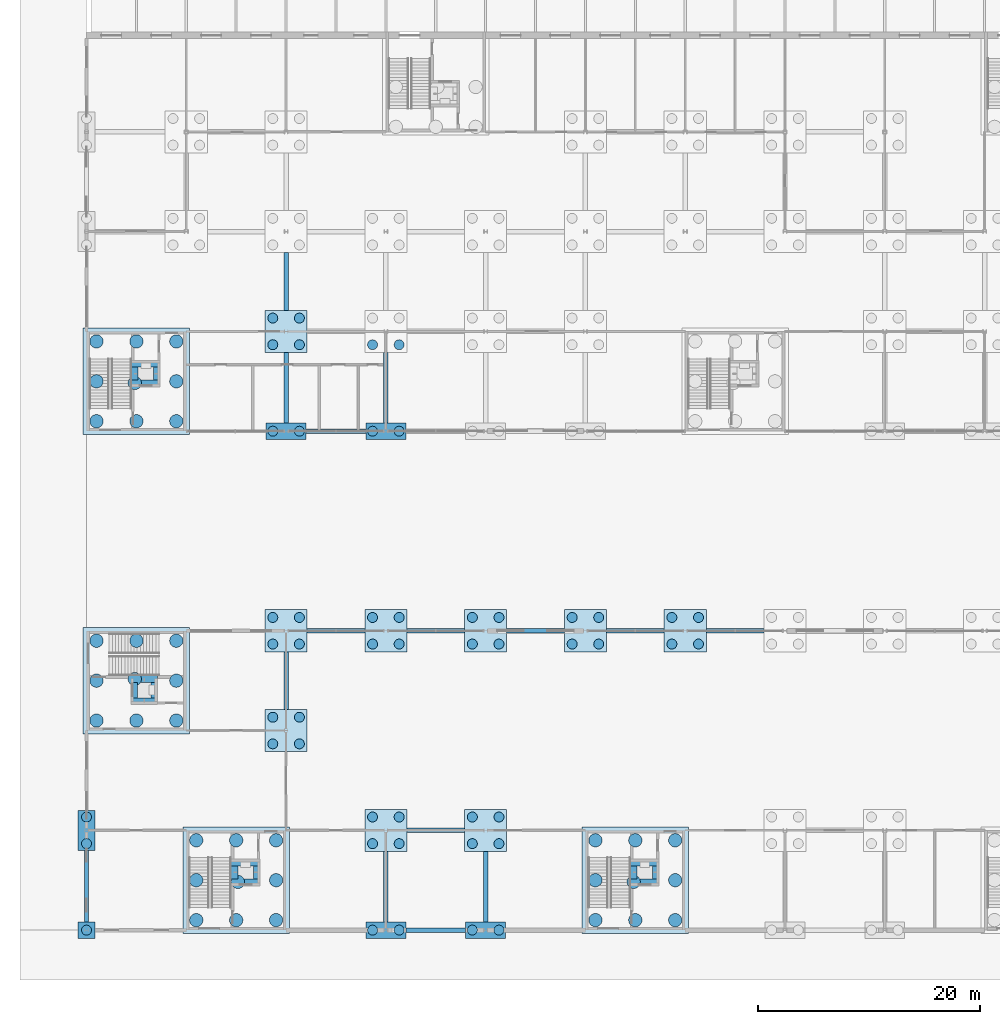
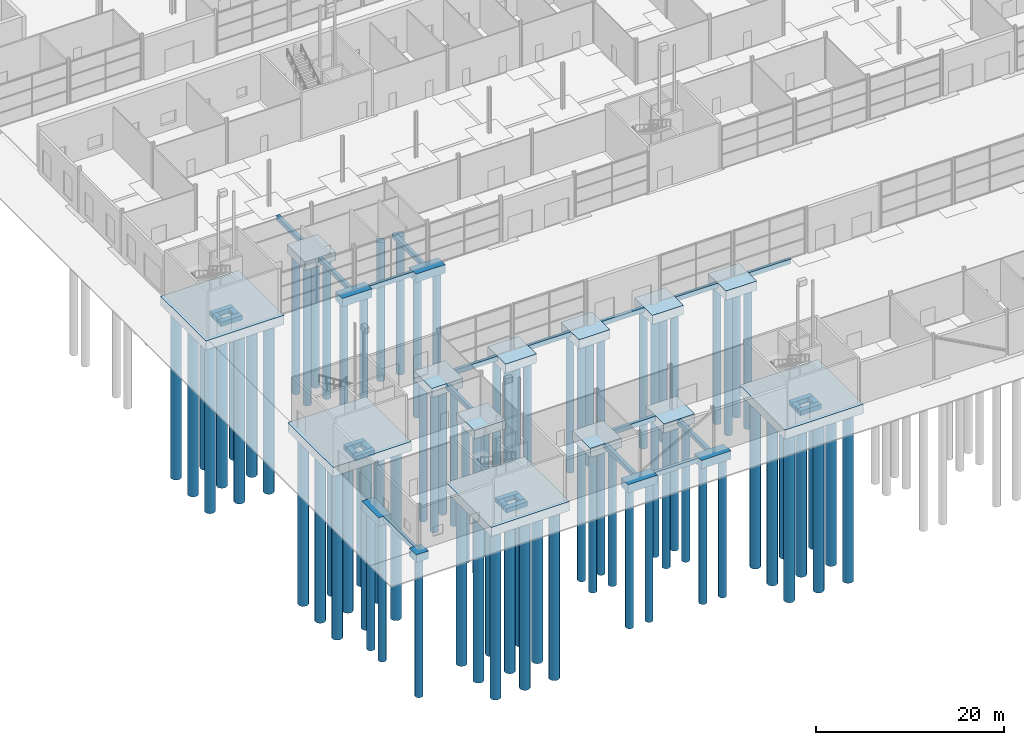
# One storey, part 1 of 97: 85 piles, 50 footings.
"""IFC4 building model written with IfcOpenShell, lengths in metres."""

from ifc_helpers import new_model, si_unit, direction, frame, origin, origin_2d, place, context, subcontext, project, spatial, polyline, rectangle, circle, outline, extrude, material, material_profile, profile_set, type_object, element, save


model = new_model("IFC4")

# Units and contexts
model_context = context("Model", 3, precision=1e-05, world=origin(), true_north=direction((0.0, 1.0)))
body_context = subcontext(model_context, "Body", "Model", "MODEL_VIEW")
ifc_project = project(units=[si_unit("LENGTHUNIT", "METRE"), si_unit("AREAUNIT", "SQUARE_METRE"), si_unit("VOLUMEUNIT", "CUBIC_METRE"), si_unit("PLANEANGLEUNIT", "RADIAN"), si_unit("MASSUNIT", "GRAM", prefix="KILO")], contexts=[model_context])

# Site, building, storey
site_placement = place(None, origin())
site = spatial("IfcSite", under=ifc_project, at=site_placement, CompositionType="ELEMENT")
building_placement = place(site_placement, origin())
building = spatial("IfcBuilding", under=site, at=building_placement, Name="Corbel Yard City Hall", CompositionType="ELEMENT")
storey_placement = place(building_placement, origin())
storey = spatial("IfcBuildingStorey", under=building, at=storey_placement, Name="L00", CompositionType="ELEMENT", Elevation=0.0)

# Piles
ifc_material = material(Name="Concrete N40 (40 MPa)", Category="concrete")
ifc_material_profile_1 = material_profile(ifc_material, circle(Radius=0.60009765625, at=origin_2d()), Name="D1200")
ifc_profile_set_1 = profile_set([ifc_material_profile_1], Name="Concrete N40 (40 MPa)")
pile_type_1 = type_object("IfcPileType", Name="Bored pile D1200", PredefinedType="BORED", material=ifc_profile_set_1)
for number, where, z_axis, x_axis, name in (
    (1, (9.89990234375, 0.89990234375, -1.10009765625), (0.0, 0.0, -1.0), (1.0, 0.0, 0.0), "Bored pile D1200 under core raft PC13"),
    (2, (9.89990234375, 4.5, -1.10009765625), (0.0, 0.0, -1.0), (1.0, 0.0, 0.0), "Bored pile D1200 under core raft PC13"),
    (3, (9.89990234375, 8.10009765625, -1.10009765625), (0.0, 0.0, -1.0), (1.0, 0.0, 0.0), "Bored pile D1200 under core raft PC13"),
    (4, (13.5, 0.89990234375, -1.10009765625), (0.0, 0.0, -1.0), (1.0, 0.0, 0.0), "Bored pile D1200 under core raft PC13"),
    (5, (13.64990234375, 4.35009765625, -1.10009765625), (0.0, 0.0, -1.0), (1.0, 0.0, 0.0), "Bored pile D1200 under core raft PC13"),
    (6, (13.5, 8.10009765625, -1.10009765625), (0.0, 0.0, -1.0), (1.0, 0.0, 0.0), "Bored pile D1200 under core raft PC13"),
    (7, (17.10009765625, 0.89990234375, -1.10009765625), (0.0, 0.0, -1.0), (1.0, 0.0, 0.0), "Bored pile D1200 under core raft PC13"),
    (8, (17.10009765625, 4.5, -1.10009765625), (0.0, 0.0, -1.0), (1.0, 0.0, 0.0), "Bored pile D1200 under core raft PC13"),
    (9, (17.10009765625, 8.10009765625, -1.10009765625), (0.0, 0.0, -1.0), (1.0, 0.0, 0.0), "Bored pile D1200 under core raft PC13"),
    (10, (45.89990234375, 0.89990234375, -1.10009765625), (0.0, 0.0, -1.0), (1.0, 0.0, 0.0), "Bored pile D1200 under core raft PC13"),
    (11, (45.89990234375, 4.5, -1.10009765625), (0.0, 0.0, -1.0), (1.0, 0.0, 0.0), "Bored pile D1200 under core raft PC13"),
    (12, (45.89990234375, 8.10009765625, -1.10009765625), (0.0, 0.0, -1.0), (1.0, 0.0, 0.0), "Bored pile D1200 under core raft PC13"),
    (13, (49.5, 0.89990234375, -1.10009765625), (0.0, 0.0, -1.0), (1.0, 0.0, 0.0), "Bored pile D1200 under core raft PC13"),
    (14, (49.35009765625, 4.35009765625, -1.10009765625), (0.0, 0.0, -1.0), (1.0, 0.0, 0.0), "Bored pile D1200 under core raft PC13"),
    (15, (49.5, 8.10009765625, -1.10009765625), (0.0, 0.0, -1.0), (1.0, 0.0, 0.0), "Bored pile D1200 under core raft PC13"),
    (16, (53.10009765625, 0.89990234375, -1.10009765625), (0.0, 0.0, -1.0), (1.0, 0.0, 0.0), "Bored pile D1200 under core raft PC13"),
    (17, (53.10009765625, 4.5, -1.10009765625), (0.0, 0.0, -1.0), (1.0, 0.0, 0.0), "Bored pile D1200 under core raft PC13"),
    (18, (53.10009765625, 8.10009765625, -1.10009765625), (0.0, 0.0, -1.0), (1.0, 0.0, 0.0), "Bored pile D1200 under core raft PC13"),
    (19, (0.89990234375, 18.89990234375, -1.10009765625), (0.0, 0.0, -1.0), (1.0, 0.0, 0.0), "Bored pile D1200 under core raft PC13"),
    (20, (0.89990234375, 22.5, -1.10009765625), (0.0, 0.0, -1.0), (1.0, 0.0, 0.0), "Bored pile D1200 under core raft PC13"),
    (21, (0.89990234375, 26.10009765625, -1.10009765625), (0.0, 0.0, -1.0), (1.0, 0.0, 0.0), "Bored pile D1200 under core raft PC13"),
    (22, (4.5, 18.89990234375, -1.10009765625), (0.0, 0.0, -1.0), (1.0, 0.0, 0.0), "Bored pile D1200 under core raft PC13"),
    (23, (4.35009765625, 22.64990234375, -1.10009765625), (0.0, 0.0, -1.0), (1.0, 0.0, 0.0), "Bored pile D1200 under core raft PC13"),
    (24, (4.5, 26.10009765625, -1.10009765625), (0.0, 0.0, -1.0), (1.0, 0.0, 0.0), "Bored pile D1200 under core raft PC13"),
    (25, (8.10009765625, 18.89990234375, -1.10009765625), (0.0, 0.0, -1.0), (1.0, 0.0, 0.0), "Bored pile D1200 under core raft PC13"),
    (26, (8.10009765625, 22.5, -1.10009765625), (0.0, 0.0, -1.0), (1.0, 0.0, 0.0), "Bored pile D1200 under core raft PC13"),
    (27, (8.10009765625, 26.10009765625, -1.10009765625), (0.0, 0.0, -1.0), (1.0, 0.0, 0.0), "Bored pile D1200 under core raft PC13"),
    (28, (0.89990234375, 45.89990234375, -1.10009765625), (0.0, 0.0, -1.0), (1.0, 0.0, 0.0), "Bored pile D1200 under core raft PC13"),
    (29, (0.89990234375, 49.5, -1.10009765625), (0.0, 0.0, -1.0), (1.0, 0.0, 0.0), "Bored pile D1200 under core raft PC13"),
    (30, (0.89990234375, 53.10009765625, -1.10009765625), (0.0, 0.0, -1.0), (1.0, 0.0, 0.0), "Bored pile D1200 under core raft PC13"),
    (31, (4.5, 45.89990234375, -1.10009765625), (0.0, 0.0, -1.0), (1.0, 0.0, 0.0), "Bored pile D1200 under core raft PC13"),
    (32, (4.35009765625, 49.35009765625, -1.10009765625), (0.0, 0.0, -1.0), (1.0, 0.0, 0.0), "Bored pile D1200 under core raft PC13"),
    (33, (4.5, 53.10009765625, -1.10009765625), (0.0, 0.0, -1.0), (1.0, 0.0, 0.0), "Bored pile D1200 under core raft PC13"),
    (34, (8.10009765625, 45.89990234375, -1.10009765625), (0.0, 0.0, -1.0), (1.0, 0.0, 0.0), "Bored pile D1200 under core raft PC13"),
    (35, (8.10009765625, 49.5, -1.10009765625), (0.0, 0.0, -1.0), (1.0, 0.0, 0.0), "Bored pile D1200 under core raft PC13"),
    (36, (8.10009765625, 53.10009765625, -1.10009765625), (0.0, 0.0, -1.0), (1.0, 0.0, 0.0), "Bored pile D1200 under core raft PC13"),
):
    element("IfcPile", number, at=place(storey_placement, frame(where, z_axis=z_axis, x_axis=x_axis)), inside=storey, type_object=pile_type_1, Name=name, PredefinedType="BORED", context=body_context, shape_type="SweptSolid", body=[
        extrude(circle(Radius=0.60009765625, at=origin_2d()), origin(), (0.0, 0.0, 1.0), 22.0),
    ])
ifc_material_profile_2 = material_profile(ifc_material, circle(Radius=0.449951171875, at=origin_2d()), Name="D900")
ifc_profile_set_2 = profile_set([ifc_material_profile_2], Name="Concrete N40 (40 MPa)")
pile_type_2 = type_object("IfcPileType", Name="Bored pile D900", PredefinedType="BORED", material=ifc_profile_set_2)
for number, where, z_axis, x_axis, name in (
    (37, (0.0, 0.0, -0.89990234375), (0.0, 0.0, -1.0), (1.0, 0.0, 0.0), "Bored pile D900 under cap PC1 A/1"),
    (38, (0.0, 7.800048828125, -1.0), (0.0, 0.0, -1.0), (1.0, 0.0, 0.0), "Bored pile D900 under cap PC2 B/1"),
    (39, (0.0, 10.199951171875, -1.0), (0.0, 0.0, -1.0), (1.0, 0.0, 0.0), "Bored pile D900 under cap PC2 B/1"),
    (40, (16.800048828125, 16.800048828125, -1.0), (0.0, 0.0, -1.0), (1.0, 0.0, 0.0), "Bored pile D900 under cap PC3 C/3"),
    (41, (16.800048828125, 19.199951171875, -1.0), (0.0, 0.0, -1.0), (1.0, 0.0, 0.0), "Bored pile D900 under cap PC3 C/3"),
    (42, (19.199951171875, 16.800048828125, -1.0), (0.0, 0.0, -1.0), (1.0, 0.0, 0.0), "Bored pile D900 under cap PC3 C/3"),
    (43, (19.199951171875, 19.199951171875, -1.0), (0.0, 0.0, -1.0), (1.0, 0.0, 0.0), "Bored pile D900 under cap PC3 C/3"),
    (44, (16.800048828125, 25.800048828125, -1.10009765625), (0.0, 0.0, -1.0), (1.0, 0.0, 0.0), "Bored pile D900 under cap PC5 D/3"),
    (45, (16.800048828125, 28.199951171875, -1.10009765625), (0.0, 0.0, -1.0), (1.0, 0.0, 0.0), "Bored pile D900 under cap PC5 D/3"),
    (46, (19.199951171875, 25.800048828125, -1.10009765625), (0.0, 0.0, -1.0), (1.0, 0.0, 0.0), "Bored pile D900 under cap PC5 D/3"),
    (47, (19.199951171875, 28.199951171875, -1.10009765625), (0.0, 0.0, -1.0), (1.0, 0.0, 0.0), "Bored pile D900 under cap PC5 D/3"),
    (48, (16.800048828125, 45.0, -1.0), (0.0, 0.0, -1.0), (1.0, 0.0, 0.0), "Bored pile D900 under cap PC6 F/3"),
    (49, (19.199951171875, 45.0, -1.0), (0.0, 0.0, -1.0), (1.0, 0.0, 0.0), "Bored pile D900 under cap PC6 F/3"),
    (50, (16.800048828125, 52.800048828125, -1.0), (0.0, 0.0, -1.0), (1.0, 0.0, 0.0), "Bored pile D900 under cap PC3 G/3"),
    (51, (16.800048828125, 55.199951171875, -1.0), (0.0, 0.0, -1.0), (1.0, 0.0, 0.0), "Bored pile D900 under cap PC3 G/3"),
    (52, (19.199951171875, 52.800048828125, -1.0), (0.0, 0.0, -1.0), (1.0, 0.0, 0.0), "Bored pile D900 under cap PC3 G/3"),
    (53, (19.199951171875, 55.199951171875, -1.0), (0.0, 0.0, -1.0), (1.0, 0.0, 0.0), "Bored pile D900 under cap PC3 G/3"),
    (54, (25.800048828125, 0.0, -1.0), (0.0, 0.0, -1.0), (1.0, 0.0, 0.0), "Bored pile D900 under cap PC6 A/4"),
    (55, (28.199951171875, 0.0, -1.0), (0.0, 0.0, -1.0), (1.0, 0.0, 0.0), "Bored pile D900 under cap PC6 A/4"),
    (56, (25.800048828125, 7.800048828125, -1.10009765625), (0.0, 0.0, -1.0), (1.0, 0.0, 0.0), "Bored pile D900 under cap PC5 B/4"),
    (57, (25.800048828125, 10.199951171875, -1.10009765625), (0.0, 0.0, -1.0), (1.0, 0.0, 0.0), "Bored pile D900 under cap PC5 B/4"),
    (58, (28.199951171875, 7.800048828125, -1.10009765625), (0.0, 0.0, -1.0), (1.0, 0.0, 0.0), "Bored pile D900 under cap PC5 B/4"),
    (59, (28.199951171875, 10.199951171875, -1.10009765625), (0.0, 0.0, -1.0), (1.0, 0.0, 0.0), "Bored pile D900 under cap PC5 B/4"),
    (60, (25.800048828125, 25.800048828125, -1.10009765625), (0.0, 0.0, -1.0), (1.0, 0.0, 0.0), "Bored pile D900 under cap PC5 D/4"),
    (61, (25.800048828125, 28.199951171875, -1.10009765625), (0.0, 0.0, -1.0), (1.0, 0.0, 0.0), "Bored pile D900 under cap PC5 D/4"),
    (62, (28.199951171875, 25.800048828125, -1.10009765625), (0.0, 0.0, -1.0), (1.0, 0.0, 0.0), "Bored pile D900 under cap PC5 D/4"),
    (63, (28.199951171875, 28.199951171875, -1.10009765625), (0.0, 0.0, -1.0), (1.0, 0.0, 0.0), "Bored pile D900 under cap PC5 D/4"),
    (64, (25.800048828125, 45.0, -1.0), (0.0, 0.0, -1.0), (1.0, 0.0, 0.0), "Bored pile D900 under cap PC6 F/4"),
    (65, (28.199951171875, 45.0, -1.0), (0.0, 0.0, -1.0), (1.0, 0.0, 0.0), "Bored pile D900 under cap PC6 F/4"),
    (66, (25.800048828125, 52.800048828125, -1.0), (0.0, 0.0, -1.0), (1.0, 0.0, 0.0), "Bored pile D900 under cap PC3 G/4"),
    (67, (28.199951171875, 52.800048828125, -1.0), (0.0, 0.0, -1.0), (1.0, 0.0, 0.0), "Bored pile D900 under cap PC3 G/4"),
    (68, (34.800048828125, 0.0, -1.0), (0.0, 0.0, -1.0), (1.0, 0.0, 0.0), "Bored pile D900 under cap PC6 A/5"),
    (69, (37.199951171875, 0.0, -1.0), (0.0, 0.0, -1.0), (1.0, 0.0, 0.0), "Bored pile D900 under cap PC6 A/5"),
    (70, (34.800048828125, 7.800048828125, -1.10009765625), (0.0, 0.0, -1.0), (1.0, 0.0, 0.0), "Bored pile D900 under cap PC5 B/5"),
    (71, (34.800048828125, 10.199951171875, -1.10009765625), (0.0, 0.0, -1.0), (1.0, 0.0, 0.0), "Bored pile D900 under cap PC5 B/5"),
    (72, (37.199951171875, 7.800048828125, -1.10009765625), (0.0, 0.0, -1.0), (1.0, 0.0, 0.0), "Bored pile D900 under cap PC5 B/5"),
    (73, (37.199951171875, 10.199951171875, -1.10009765625), (0.0, 0.0, -1.0), (1.0, 0.0, 0.0), "Bored pile D900 under cap PC5 B/5"),
    (74, (34.800048828125, 25.800048828125, -1.10009765625), (0.0, 0.0, -1.0), (1.0, 0.0, 0.0), "Bored pile D900 under cap PC5 D/5"),
    (75, (34.800048828125, 28.199951171875, -1.10009765625), (0.0, 0.0, -1.0), (1.0, 0.0, 0.0), "Bored pile D900 under cap PC5 D/5"),
    (76, (37.199951171875, 25.800048828125, -1.10009765625), (0.0, 0.0, -1.0), (1.0, 0.0, 0.0), "Bored pile D900 under cap PC5 D/5"),
    (77, (37.199951171875, 28.199951171875, -1.10009765625), (0.0, 0.0, -1.0), (1.0, 0.0, 0.0), "Bored pile D900 under cap PC5 D/5"),
    (78, (43.800048828125, 25.800048828125, -1.10009765625), (0.0, 0.0, -1.0), (1.0, 0.0, 0.0), "Bored pile D900 under cap PC5 D/6"),
    (79, (43.800048828125, 28.199951171875, -1.10009765625), (0.0, 0.0, -1.0), (1.0, 0.0, 0.0), "Bored pile D900 under cap PC5 D/6"),
    (80, (46.199951171875, 25.800048828125, -1.10009765625), (0.0, 0.0, -1.0), (1.0, 0.0, 0.0), "Bored pile D900 under cap PC5 D/6"),
    (81, (46.199951171875, 28.199951171875, -1.10009765625), (0.0, 0.0, -1.0), (1.0, 0.0, 0.0), "Bored pile D900 under cap PC5 D/6"),
    (82, (52.800048828125, 25.800048828125, -1.10009765625), (0.0, 0.0, -1.0), (1.0, 0.0, 0.0), "Bored pile D900 under cap PC5 D/7"),
    (83, (52.800048828125, 28.199951171875, -1.10009765625), (0.0, 0.0, -1.0), (1.0, 0.0, 0.0), "Bored pile D900 under cap PC5 D/7"),
    (84, (55.199951171875, 25.800048828125, -1.10009765625), (0.0, 0.0, -1.0), (1.0, 0.0, 0.0), "Bored pile D900 under cap PC5 D/7"),
    (85, (55.199951171875, 28.199951171875, -1.10009765625), (0.0, 0.0, -1.0), (1.0, 0.0, 0.0), "Bored pile D900 under cap PC5 D/7"),
):
    element("IfcPile", number, at=place(storey_placement, frame(where, z_axis=z_axis, x_axis=x_axis)), inside=storey, type_object=pile_type_2, Name=name, PredefinedType="BORED", context=body_context, shape_type="SweptSolid", body=[
        extrude(circle(Radius=0.449951171875, at=origin_2d()), origin(), (0.0, 0.0, 1.0), 18.0),
    ])

# Footings
footing_type_1 = type_object("IfcFootingType", Name="Core cell raft 9.6 x 9.6 x 1.2", PredefinedType="PILE_CAP", material=ifc_material)
footing_1_placement = place(storey_placement, frame((0.0, 0.0, -1.199951171875)))
element("IfcFooting", 86, at=footing_1_placement, inside=storey, type_object=footing_type_1, Name="Core cell raft PC13 PC-S0", PredefinedType="PILE_CAP", context=body_context, shape_type="SweptSolid", body=[
    extrude(outline(polyline([(8.699951171875, -0.300048828125), (18.300048828125, -0.300048828125), (18.300048828125, 9.300048828125), (8.699951171875, 9.300048828125), (8.699951171875, -0.300048828125)])), origin(), (0.0, 0.0, 1.0), 1.199951171875),
])
footing_2_placement = place(storey_placement, frame((0.0, 0.0, -1.199951171875)))
element("IfcFooting", 87, at=footing_2_placement, inside=storey, type_object=footing_type_1, Name="Core cell raft PC13 PC-S1", PredefinedType="PILE_CAP", context=body_context, shape_type="SweptSolid", body=[
    extrude(outline(polyline([(44.699951171875, -0.300048828125), (54.300048828125, -0.300048828125), (54.300048828125, 9.300048828125), (44.699951171875, 9.300048828125), (44.699951171875, -0.300048828125)])), origin(), (0.0, 0.0, 1.0), 1.199951171875),
])
footing_3_placement = place(storey_placement, frame((0.0, 0.0, -1.199951171875)))
element("IfcFooting", 88, at=footing_3_placement, inside=storey, type_object=footing_type_1, Name="Core cell raft PC13 PC-S5", PredefinedType="PILE_CAP", context=body_context, shape_type="SweptSolid", body=[
    extrude(outline(polyline([(-0.300048828125, 17.699951171875), (9.300048828125, 17.699951171875), (9.300048828125, 27.300048828125), (-0.300048828125, 27.300048828125), (-0.300048828125, 17.699951171875)])), origin(), (0.0, 0.0, 1.0), 1.199951171875),
])
footing_4_placement = place(storey_placement, frame((0.0, 0.0, -1.199951171875)))
element("IfcFooting", 89, at=footing_4_placement, inside=storey, type_object=footing_type_1, Name="Core cell raft PC13 PC-M1", PredefinedType="PILE_CAP", context=body_context, shape_type="SweptSolid", body=[
    extrude(outline(polyline([(-0.300048828125, 44.699951171875), (9.300048828125, 44.699951171875), (9.300048828125, 54.300048828125), (-0.300048828125, 54.300048828125), (-0.300048828125, 44.699951171875)])), origin(), (0.0, 0.0, 1.0), 1.199951171875),
])
footing_type_2 = type_object("IfcFootingType", Name="Ground beam 400 x 600", PredefinedType="FOOTING_BEAM", material=ifc_material)
footing_5_placement = place(storey_placement, frame((0.0, 3.97509765625, -0.60009765625), z_axis=(0.0, 0.0, 1.0), x_axis=(1.0, 0.0, 0.0)))
element("IfcFooting", 90, at=footing_5_placement, inside=storey, type_object=footing_type_2, Name="Ground beam 400 x 600 A/1-B/1", PredefinedType="FOOTING_BEAM", context=body_context, shape_type="SweptSolid", body=[
    extrude(rectangle(XDim=0.39990234375, YDim=6.449951171875, at=origin_2d()), origin(), (0.0, 0.0, 1.0), 0.60009765625),
])
footing_6_placement = place(storey_placement, frame((18.0, 22.5, -0.60009765625), z_axis=(0.0, 0.0, 1.0), x_axis=(1.0, 0.0, 0.0)))
element("IfcFooting", 91, at=footing_6_placement, inside=storey, type_object=footing_type_2, Name="Ground beam 400 x 600 C/3-D/3", PredefinedType="FOOTING_BEAM", context=body_context, shape_type="SweptSolid", body=[
    extrude(rectangle(XDim=0.39990234375, YDim=5.199951171875, at=origin_2d()), origin(), (0.0, 0.0, 1.0), 0.60009765625),
])
footing_7_placement = place(storey_placement, frame((22.5, 27.0, -0.60009765625), z_axis=(0.0, 0.0, 1.0), x_axis=(1.0, 0.0, 0.0)))
element("IfcFooting", 92, at=footing_7_placement, inside=storey, type_object=footing_type_2, Name="Ground beam 400 x 600 D/3-D/4", PredefinedType="FOOTING_BEAM", context=body_context, shape_type="SweptSolid", body=[
    extrude(rectangle(XDim=5.199951171875, YDim=0.39990234375, at=origin_2d()), origin(), (0.0, 0.0, 1.0), 0.60009765625),
])
footing_8_placement = place(storey_placement, frame((22.5, 45.0, -0.60009765625), z_axis=(0.0, 0.0, 1.0), x_axis=(1.0, 0.0, 0.0)))
element("IfcFooting", 93, at=footing_8_placement, inside=storey, type_object=footing_type_2, Name="Ground beam 400 x 600 F/3-F/4", PredefinedType="FOOTING_BEAM", context=body_context, shape_type="SweptSolid", body=[
    extrude(rectangle(XDim=5.39990234375, YDim=0.39990234375, at=origin_2d()), origin(), (0.0, 0.0, 1.0), 0.60009765625),
])
footing_9_placement = place(storey_placement, frame((18.0, 48.925048828125, -0.60009765625), z_axis=(0.0, 0.0, 1.0), x_axis=(1.0, 0.0, 0.0)))
element("IfcFooting", 94, at=footing_9_placement, inside=storey, type_object=footing_type_2, Name="Ground beam 400 x 600 F/3-G/3", PredefinedType="FOOTING_BEAM", context=body_context, shape_type="SweptSolid", body=[
    extrude(rectangle(XDim=0.39990234375, YDim=6.35009765625, at=origin_2d()), origin(), (0.0, 0.0, 1.0), 0.60009765625),
])
footing_10_placement = place(storey_placement, frame((18.0, 58.5, -0.60009765625), z_axis=(0.0, 0.0, 1.0), x_axis=(1.0, 0.0, 0.0)))
element("IfcFooting", 95, at=footing_10_placement, inside=storey, type_object=footing_type_2, Name="Ground beam 400 x 600 G/3-H/3", PredefinedType="FOOTING_BEAM", context=body_context, shape_type="SweptSolid", body=[
    extrude(rectangle(XDim=0.39990234375, YDim=5.199951171875, at=origin_2d()), origin(), (0.0, 0.0, 1.0), 0.60009765625),
])
footing_11_placement = place(storey_placement, frame((31.5, 0.0, -0.60009765625), z_axis=(0.0, 0.0, 1.0), x_axis=(1.0, 0.0, 0.0)))
element("IfcFooting", 96, at=footing_11_placement, inside=storey, type_object=footing_type_2, Name="Ground beam 400 x 600 A/4-A/5", PredefinedType="FOOTING_BEAM", context=body_context, shape_type="SweptSolid", body=[
    extrude(rectangle(XDim=5.39990234375, YDim=0.39990234375, at=origin_2d()), origin(), (0.0, 0.0, 1.0), 0.60009765625),
])
footing_12_placement = place(storey_placement, frame((27.0, 3.925048828125, -0.60009765625), z_axis=(0.0, 0.0, 1.0), x_axis=(1.0, 0.0, 0.0)))
element("IfcFooting", 97, at=footing_12_placement, inside=storey, type_object=footing_type_2, Name="Ground beam 400 x 600 A/4-B/4", PredefinedType="FOOTING_BEAM", context=body_context, shape_type="SweptSolid", body=[
    extrude(rectangle(XDim=0.39990234375, YDim=6.35009765625, at=origin_2d()), origin(), (0.0, 0.0, 1.0), 0.60009765625),
])
for number, where, z_axis, x_axis, name in (
    (98, (31.5, 9.0, -0.60009765625), (0.0, 0.0, 1.0), (1.0, 0.0, 0.0), "Ground beam 400 x 600 B/4-B/5"),
    (99, (31.5, 27.0, -0.60009765625), (0.0, 0.0, 1.0), (1.0, 0.0, 0.0), "Ground beam 400 x 600 D/4-D/5"),
):
    element("IfcFooting", number, at=place(storey_placement, frame(where, z_axis=z_axis, x_axis=x_axis)), inside=storey, type_object=footing_type_2, Name=name, PredefinedType="FOOTING_BEAM", context=body_context, shape_type="SweptSolid", body=[
        extrude(rectangle(XDim=5.199951171875, YDim=0.39990234375, at=origin_2d()), origin(), (0.0, 0.0, 1.0), 0.60009765625),
    ])
for number, where, z_axis, x_axis, name in (
    (100, (27.0, 48.925048828125, -0.60009765625), (0.0, 0.0, 1.0), (1.0, 0.0, 0.0), "Ground beam 400 x 600 F/4-G/4"),
    (101, (36.0, 3.925048828125, -0.60009765625), (0.0, 0.0, 1.0), (1.0, 0.0, 0.0), "Ground beam 400 x 600 A/5-B/5"),
):
    element("IfcFooting", number, at=place(storey_placement, frame(where, z_axis=z_axis, x_axis=x_axis)), inside=storey, type_object=footing_type_2, Name=name, PredefinedType="FOOTING_BEAM", context=body_context, shape_type="SweptSolid", body=[
        extrude(rectangle(XDim=0.39990234375, YDim=6.35009765625, at=origin_2d()), origin(), (0.0, 0.0, 1.0), 0.60009765625),
    ])
for number, where, z_axis, x_axis, name in (
    (102, (40.5, 27.0, -0.60009765625), (0.0, 0.0, 1.0), (1.0, 0.0, 0.0), "Ground beam 400 x 600 D/5-D/6"),
    (103, (49.5, 27.0, -0.60009765625), (0.0, 0.0, 1.0), (1.0, 0.0, 0.0), "Ground beam 400 x 600 D/6-D/7"),
    (104, (58.5, 27.0, -0.60009765625), (0.0, 0.0, 1.0), (1.0, 0.0, 0.0), "Ground beam 400 x 600 D/7-D/8"),
):
    element("IfcFooting", number, at=place(storey_placement, frame(where, z_axis=z_axis, x_axis=x_axis)), inside=storey, type_object=footing_type_2, Name=name, PredefinedType="FOOTING_BEAM", context=body_context, shape_type="SweptSolid", body=[
        extrude(rectangle(XDim=5.199951171875, YDim=0.39990234375, at=origin_2d()), origin(), (0.0, 0.0, 1.0), 0.60009765625),
    ])
footing_type_3 = type_object("IfcFootingType", Name="Lift pit strip footing 600 x 600", PredefinedType="FOOTING_BEAM", material=ifc_material)
footing_13_placement = place(storey_placement, frame((0.0, 0.0, -2.300048828125)))
element("IfcFooting", 105, at=footing_13_placement, inside=storey, type_object=footing_type_3, Name="Lift pit strip footing LP1 S", PredefinedType="FOOTING_BEAM", context=body_context, shape_type="SweptSolid", body=[
    extrude(outline(polyline([(15.64990234375, 4.0), (15.64990234375, 4.60009765625), (13.050048828125, 4.60009765625), (13.050048828125, 4.0), (15.64990234375, 4.0)])), origin(), (0.0, 0.0, 1.0), 0.60009765625),
])
footing_14_placement = place(storey_placement, frame((0.0, 0.0, -2.300048828125)))
element("IfcFooting", 106, at=footing_14_placement, inside=storey, type_object=footing_type_3, Name="Lift pit strip footing LP1 N", PredefinedType="FOOTING_BEAM", context=body_context, shape_type="SweptSolid", body=[
    extrude(outline(polyline([(15.64990234375, 5.800048828125), (15.64990234375, 6.39990234375), (13.050048828125, 6.39990234375), (13.050048828125, 5.800048828125), (15.64990234375, 5.800048828125)])), origin(), (0.0, 0.0, 1.0), 0.60009765625),
])
footing_15_placement = place(storey_placement, frame((0.0, 0.0, -2.300048828125)))
element("IfcFooting", 107, at=footing_15_placement, inside=storey, type_object=footing_type_3, Name="Lift pit strip footing LP1 W", PredefinedType="FOOTING_BEAM", context=body_context, shape_type="SweptSolid", body=[
    extrude(outline(polyline([(13.64990234375, 4.60009765625), (13.64990234375, 5.800048828125), (13.050048828125, 5.800048828125), (13.050048828125, 4.60009765625), (13.64990234375, 4.60009765625)])), origin(), (0.0, 0.0, 1.0), 0.60009765625),
])
footing_16_placement = place(storey_placement, frame((0.0, 0.0, -2.300048828125)))
element("IfcFooting", 108, at=footing_16_placement, inside=storey, type_object=footing_type_3, Name="Lift pit strip footing LP1 E", PredefinedType="FOOTING_BEAM", context=body_context, shape_type="SweptSolid", body=[
    extrude(outline(polyline([(15.64990234375, 4.60009765625), (15.64990234375, 5.800048828125), (15.050048828125, 5.800048828125), (15.050048828125, 4.60009765625), (15.64990234375, 4.60009765625)])), origin(), (0.0, 0.0, 1.0), 0.60009765625),
])
footing_17_placement = place(storey_placement, frame((0.0, 0.0, -2.300048828125)))
element("IfcFooting", 109, at=footing_17_placement, inside=storey, type_object=footing_type_3, Name="Lift pit strip footing LP2 S", PredefinedType="FOOTING_BEAM", context=body_context, shape_type="SweptSolid", body=[
    extrude(outline(polyline([(51.64990234375, 4.0), (51.64990234375, 4.60009765625), (49.050048828125, 4.60009765625), (49.050048828125, 4.0), (51.64990234375, 4.0)])), origin(), (0.0, 0.0, 1.0), 0.60009765625),
])
footing_18_placement = place(storey_placement, frame((0.0, 0.0, -2.300048828125)))
element("IfcFooting", 110, at=footing_18_placement, inside=storey, type_object=footing_type_3, Name="Lift pit strip footing LP2 N", PredefinedType="FOOTING_BEAM", context=body_context, shape_type="SweptSolid", body=[
    extrude(outline(polyline([(51.64990234375, 5.800048828125), (51.64990234375, 6.39990234375), (49.050048828125, 6.39990234375), (49.050048828125, 5.800048828125), (51.64990234375, 5.800048828125)])), origin(), (0.0, 0.0, 1.0), 0.60009765625),
])
footing_19_placement = place(storey_placement, frame((0.0, 0.0, -2.300048828125)))
element("IfcFooting", 111, at=footing_19_placement, inside=storey, type_object=footing_type_3, Name="Lift pit strip footing LP2 W", PredefinedType="FOOTING_BEAM", context=body_context, shape_type="SweptSolid", body=[
    extrude(outline(polyline([(49.64990234375, 4.60009765625), (49.64990234375, 5.800048828125), (49.050048828125, 5.800048828125), (49.050048828125, 4.60009765625), (49.64990234375, 4.60009765625)])), origin(), (0.0, 0.0, 1.0), 0.60009765625),
])
footing_20_placement = place(storey_placement, frame((0.0, 0.0, -2.300048828125)))
element("IfcFooting", 112, at=footing_20_placement, inside=storey, type_object=footing_type_3, Name="Lift pit strip footing LP2 E", PredefinedType="FOOTING_BEAM", context=body_context, shape_type="SweptSolid", body=[
    extrude(outline(polyline([(51.64990234375, 4.60009765625), (51.64990234375, 5.800048828125), (51.050048828125, 5.800048828125), (51.050048828125, 4.60009765625), (51.64990234375, 4.60009765625)])), origin(), (0.0, 0.0, 1.0), 0.60009765625),
])
footing_21_placement = place(storey_placement, frame((0.0, 0.0, -2.300048828125)))
element("IfcFooting", 113, at=footing_21_placement, inside=storey, type_object=footing_type_3, Name="Lift pit strip footing LP6 S", PredefinedType="FOOTING_BEAM", context=body_context, shape_type="SweptSolid", body=[
    extrude(outline(polyline([(6.39990234375, 20.35009765625), (6.39990234375, 20.949951171875), (4.0, 20.949951171875), (4.0, 20.35009765625), (6.39990234375, 20.35009765625)])), origin(), (0.0, 0.0, 1.0), 0.60009765625),
])
footing_22_placement = place(storey_placement, frame((0.0, 0.0, -2.300048828125)))
element("IfcFooting", 114, at=footing_22_placement, inside=storey, type_object=footing_type_3, Name="Lift pit strip footing LP6 N", PredefinedType="FOOTING_BEAM", context=body_context, shape_type="SweptSolid", body=[
    extrude(outline(polyline([(6.39990234375, 22.35009765625), (6.39990234375, 22.949951171875), (4.0, 22.949951171875), (4.0, 22.35009765625), (6.39990234375, 22.35009765625)])), origin(), (0.0, 0.0, 1.0), 0.60009765625),
])
footing_23_placement = place(storey_placement, frame((0.0, 0.0, -2.300048828125)))
element("IfcFooting", 115, at=footing_23_placement, inside=storey, type_object=footing_type_3, Name="Lift pit strip footing LP6 W", PredefinedType="FOOTING_BEAM", context=body_context, shape_type="SweptSolid", body=[
    extrude(outline(polyline([(4.60009765625, 20.949951171875), (4.60009765625, 22.35009765625), (4.0, 22.35009765625), (4.0, 20.949951171875), (4.60009765625, 20.949951171875)])), origin(), (0.0, 0.0, 1.0), 0.60009765625),
])
footing_24_placement = place(storey_placement, frame((0.0, 0.0, -2.300048828125)))
element("IfcFooting", 116, at=footing_24_placement, inside=storey, type_object=footing_type_3, Name="Lift pit strip footing LP6 E", PredefinedType="FOOTING_BEAM", context=body_context, shape_type="SweptSolid", body=[
    extrude(outline(polyline([(6.39990234375, 20.949951171875), (6.39990234375, 22.35009765625), (5.800048828125, 22.35009765625), (5.800048828125, 20.949951171875), (6.39990234375, 20.949951171875)])), origin(), (0.0, 0.0, 1.0), 0.60009765625),
])
footing_25_placement = place(storey_placement, frame((0.0, 0.0, -2.300048828125)))
element("IfcFooting", 117, at=footing_25_placement, inside=storey, type_object=footing_type_3, Name="Lift pit strip footing LP8 S", PredefinedType="FOOTING_BEAM", context=body_context, shape_type="SweptSolid", body=[
    extrude(outline(polyline([(6.64990234375, 49.0), (6.64990234375, 49.60009765625), (4.050048828125, 49.60009765625), (4.050048828125, 49.0), (6.64990234375, 49.0)])), origin(), (0.0, 0.0, 1.0), 0.60009765625),
])
footing_26_placement = place(storey_placement, frame((0.0, 0.0, -2.300048828125)))
element("IfcFooting", 118, at=footing_26_placement, inside=storey, type_object=footing_type_3, Name="Lift pit strip footing LP8 N", PredefinedType="FOOTING_BEAM", context=body_context, shape_type="SweptSolid", body=[
    extrude(outline(polyline([(6.64990234375, 50.800048828125), (6.64990234375, 51.39990234375), (4.050048828125, 51.39990234375), (4.050048828125, 50.800048828125), (6.64990234375, 50.800048828125)])), origin(), (0.0, 0.0, 1.0), 0.60009765625),
])
footing_27_placement = place(storey_placement, frame((0.0, 0.0, -2.300048828125)))
element("IfcFooting", 119, at=footing_27_placement, inside=storey, type_object=footing_type_3, Name="Lift pit strip footing LP8 W", PredefinedType="FOOTING_BEAM", context=body_context, shape_type="SweptSolid", body=[
    extrude(outline(polyline([(4.64990234375, 49.60009765625), (4.64990234375, 50.800048828125), (4.050048828125, 50.800048828125), (4.050048828125, 49.60009765625), (4.64990234375, 49.60009765625)])), origin(), (0.0, 0.0, 1.0), 0.60009765625),
])
footing_28_placement = place(storey_placement, frame((0.0, 0.0, -2.300048828125)))
element("IfcFooting", 120, at=footing_28_placement, inside=storey, type_object=footing_type_3, Name="Lift pit strip footing LP8 E", PredefinedType="FOOTING_BEAM", context=body_context, shape_type="SweptSolid", body=[
    extrude(outline(polyline([(6.64990234375, 49.60009765625), (6.64990234375, 50.800048828125), (6.050048828125, 50.800048828125), (6.050048828125, 49.60009765625), (6.64990234375, 49.60009765625)])), origin(), (0.0, 0.0, 1.0), 0.60009765625),
])
footing_type_4 = type_object("IfcFootingType", Name="Pile cap (column) 3.8 x 3.8 x 1.1", PredefinedType="PILE_CAP", material=ifc_material)
for number, where, z_axis, x_axis, name in (
    (121, (18.0, 18.0, -1.10009765625), (0.0, 0.0, 1.0), (1.0, 0.0, 0.0), "Pile cap PC3 C/3"),
    (122, (18.0, 54.0, -1.10009765625), (0.0, 0.0, 1.0), (1.0, 0.0, 0.0), "Pile cap PC3 G/3"),
):
    element("IfcFooting", number, at=place(storey_placement, frame(where, z_axis=z_axis, x_axis=x_axis)), inside=storey, type_object=footing_type_4, Name=name, PredefinedType="PILE_CAP", context=body_context, shape_type="SweptSolid", body=[
        extrude(rectangle(XDim=3.800048828125, YDim=3.800048828125, at=origin_2d()), origin(), (0.0, 0.0, 1.0), 1.10009765625),
    ])
footing_type_5 = type_object("IfcFootingType", Name="Pile cap (corner column) 1.5 x 1.5 x 1", PredefinedType="PILE_CAP", material=ifc_material)
footing_29_placement = place(storey_placement, frame((0.0, 0.0, -1.0), z_axis=(0.0, 0.0, 1.0), x_axis=(1.0, 0.0, 0.0)))
element("IfcFooting", 123, at=footing_29_placement, inside=storey, type_object=footing_type_5, Name="Pile cap PC1 A/1", PredefinedType="PILE_CAP", context=body_context, shape_type="SweptSolid", body=[
    extrude(rectangle(XDim=1.5, YDim=1.5, at=origin_2d()), origin(), (0.0, 0.0, 1.0), 1.0),
])
footing_type_6 = type_object("IfcFootingType", Name="Pile cap (edge column, two piles) 1.5 x 3.6 x 1.1", PredefinedType="PILE_CAP", material=ifc_material)
footing_30_placement = place(storey_placement, frame((0.0, 9.0, -1.10009765625), z_axis=(0.0, 0.0, 1.0), x_axis=(1.0, 0.0, 0.0)))
element("IfcFooting", 124, at=footing_30_placement, inside=storey, type_object=footing_type_6, Name="Pile cap PC2 B/1", PredefinedType="PILE_CAP", context=body_context, shape_type="SweptSolid", body=[
    extrude(rectangle(XDim=1.5, YDim=3.60009765625, at=origin_2d()), origin(), (0.0, 0.0, 1.0), 1.10009765625),
])
footing_type_7 = type_object("IfcFootingType", Name="Pile cap (edge column, two piles) 3.6 x 1.5 x 1.1", PredefinedType="PILE_CAP", material=ifc_material)
for number, where, z_axis, x_axis, name in (
    (125, (18.0, 45.0, -1.10009765625), (0.0, 0.0, 1.0), (1.0, 0.0, 0.0), "Pile cap PC6 F/3"),
    (126, (27.0, 0.0, -1.10009765625), (0.0, 0.0, 1.0), (1.0, 0.0, 0.0), "Pile cap PC6 A/4"),
    (127, (27.0, 45.0, -1.10009765625), (0.0, 0.0, 1.0), (1.0, 0.0, 0.0), "Pile cap PC6 F/4"),
    (128, (36.0, 0.0, -1.10009765625), (0.0, 0.0, 1.0), (1.0, 0.0, 0.0), "Pile cap PC6 A/5"),
):
    element("IfcFooting", number, at=place(storey_placement, frame(where, z_axis=z_axis, x_axis=x_axis)), inside=storey, type_object=footing_type_7, Name=name, PredefinedType="PILE_CAP", context=body_context, shape_type="SweptSolid", body=[
        extrude(rectangle(XDim=3.60009765625, YDim=1.5, at=origin_2d()), origin(), (0.0, 0.0, 1.0), 1.10009765625),
    ])
footing_type_8 = type_object("IfcFootingType", Name="Pile cap (hall truss column) 3.8 x 3.8 x 1.2", PredefinedType="PILE_CAP", material=ifc_material)
for number, where, z_axis, x_axis, name in (
    (129, (18.0, 27.0, -1.2001953125), (0.0, 0.0, 1.0), (1.0, 0.0, 0.0), "Pile cap PC5 D/3"),
    (130, (27.0, 9.0, -1.2001953125), (0.0, 0.0, 1.0), (1.0, 0.0, 0.0), "Pile cap PC5 B/4"),
    (131, (27.0, 27.0, -1.2001953125), (0.0, 0.0, 1.0), (1.0, 0.0, 0.0), "Pile cap PC5 D/4"),
    (132, (36.0, 9.0, -1.2001953125), (0.0, 0.0, 1.0), (1.0, 0.0, 0.0), "Pile cap PC5 B/5"),
    (133, (36.0, 27.0, -1.2001953125), (0.0, 0.0, 1.0), (1.0, 0.0, 0.0), "Pile cap PC5 D/5"),
    (134, (45.0, 27.0, -1.2001953125), (0.0, 0.0, 1.0), (1.0, 0.0, 0.0), "Pile cap PC5 D/6"),
    (135, (54.0, 27.0, -1.2001953125), (0.0, 0.0, 1.0), (1.0, 0.0, 0.0), "Pile cap PC5 D/7"),
):
    element("IfcFooting", number, at=place(storey_placement, frame(where, z_axis=z_axis, x_axis=x_axis)), inside=storey, type_object=footing_type_8, Name=name, PredefinedType="PILE_CAP", context=body_context, shape_type="SweptSolid", body=[
        extrude(rectangle(XDim=3.800048828125, YDim=3.800048828125, at=origin_2d()), origin(), (0.0, 0.0, 1.0), 1.199951171875),
    ])

save(model, "model.ifc")
